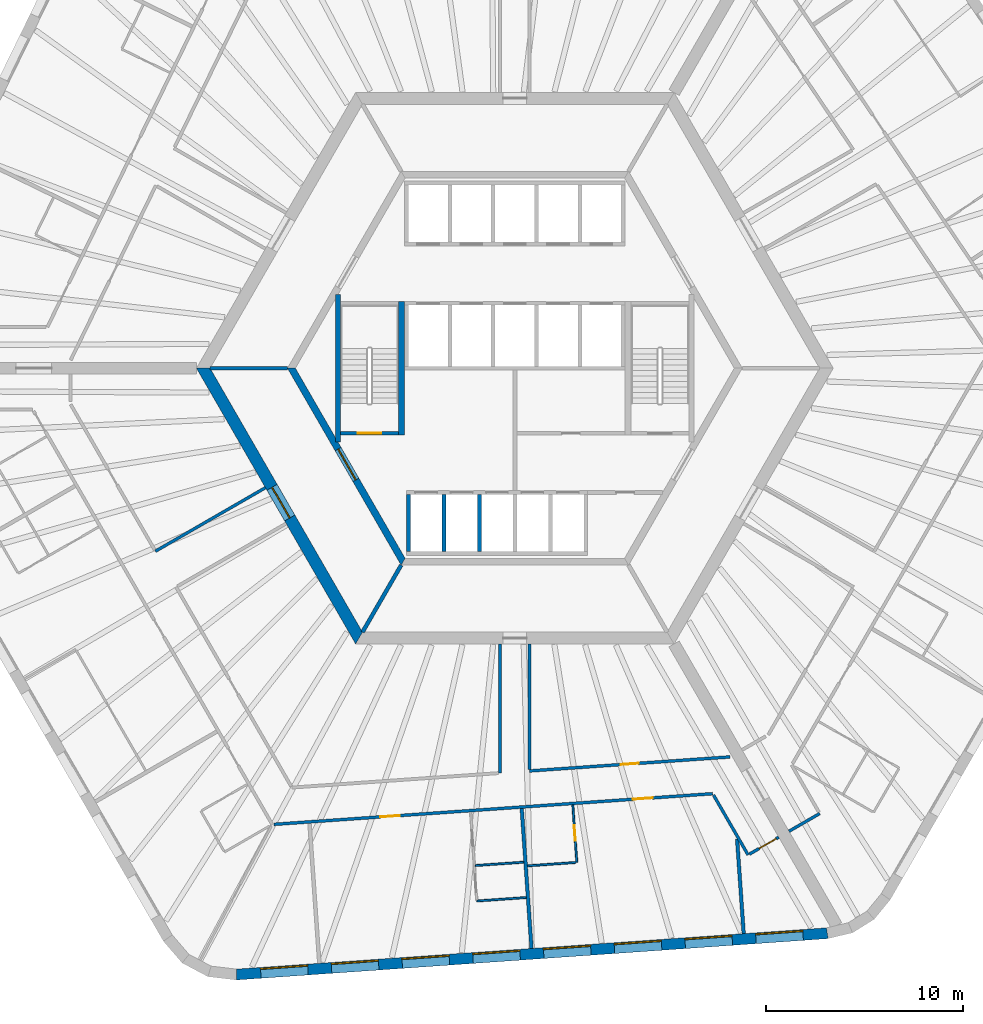
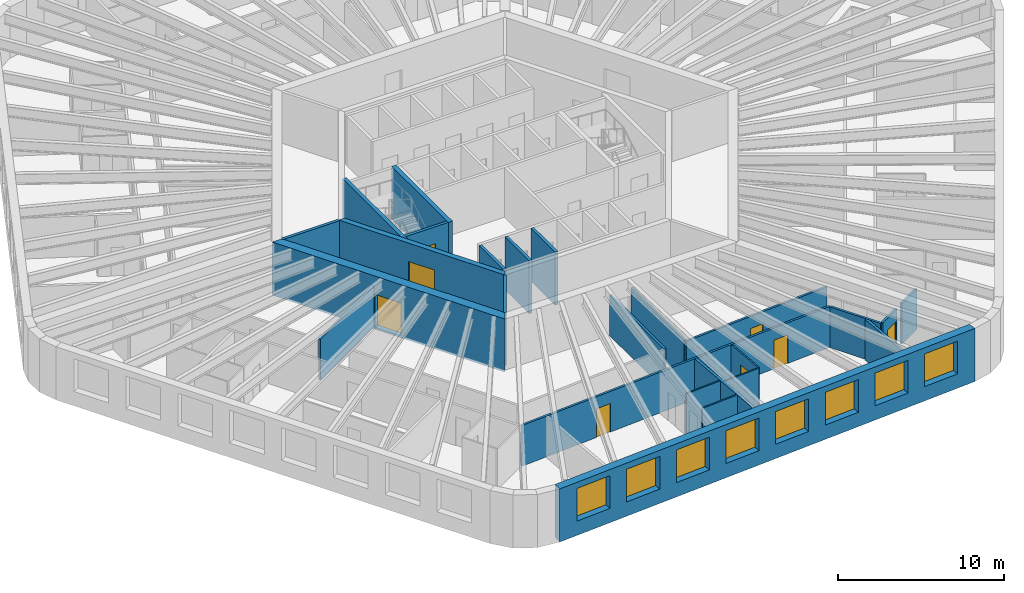
# One storey, part 4 of 11: 25 walls, 8 doors, 8 windows, 16 openings.
"""IFC4 building model written with IfcOpenShell, lengths in metres."""

import ifcopenshell
import ifcopenshell.guid

model = None  # the IFC model being written
_history = None  # IfcOwnerHistory: only IFC2X3 demands one
_inside = {}  # id of a spatial element -> (the spatial element, [elements in it])
_under = {}  # id of a project, library or spatial element -> (it, [spatial elements below it])
_declared = {}  # id of a project -> (the project, [libraries it declares])
_typed = {}  # id of a type object -> (the type object, [elements of that type])
_made_of = {}  # id of a material, layer set ... -> (it, [elements and type objects made of it])


def new_model(schema):
    """Start an empty IFC model of exactly this schema.

    Asked for "IFC4X3", IfcOpenShell would pick the latest addendum, in which some entities
    have other attributes; the version numbers below select the first issue.
    IFC2X3 requires an IfcOwnerHistory on every rooted entity: one is made here for all.
    """
    global model, _history
    if schema == "IFC4X3":
        model = ifcopenshell.file(schema_version=(4, 3, 0, 0))
    else:
        model = ifcopenshell.file(schema=schema)
    _inside.clear()
    _under.clear()
    _declared.clear()
    _typed.clear()
    _made_of.clear()
    _history = None
    if model.schema == "IFC2X3":
        org = make("IfcOrganization", Name="unknown")
        user = make(
            "IfcPersonAndOrganization",
            ThePerson=make("IfcPerson", FamilyName="unknown"),
            TheOrganization=org,
        )
        app = make(
            "IfcApplication",
            ApplicationDeveloper=org,
            Version="unknown",
            ApplicationFullName="unknown",
            ApplicationIdentifier="unknown",
        )
        _history = make(
            "IfcOwnerHistory",
            OwningUser=user,
            OwningApplication=app,
            ChangeAction="ADDED",
            CreationDate=0,
        )
    return model


def make(cls, **values):
    """One entity of the class cls with the attributes given. An attribute that is None is left unset."""
    return model.create_entity(
        cls, **{name: value for name, value in values.items() if value is not None}
    )


def rooted(cls, **values):
    """An entity with a GlobalId (a new one), such as an element, a storey or a relation."""
    return make(cls, GlobalId=ifcopenshell.guid.new(), OwnerHistory=_history, **values)


def si_unit(unit_type, name, prefix=None):
    """IfcSIUnit, for example si_unit("LENGTHUNIT", "METRE", prefix="MILLI")."""
    return make("IfcSIUnit", UnitType=unit_type, Prefix=prefix, Name=name)


def assignment(units):
    """IfcUnitAssignment: the units of a project."""
    return None if units is None else make("IfcUnitAssignment", Units=units)


def point(xyz):
    """IfcCartesianPoint."""
    return None if xyz is None else make("IfcCartesianPoint", Coordinates=xyz)


def direction(xyz):
    """IfcDirection."""
    return None if xyz is None else make("IfcDirection", DirectionRatios=xyz)


def frame(location, z_axis=None, x_axis=None):
    """IfcAxis2Placement3D, a coordinate frame: its origin and axes. An axis left out is left unset."""
    return make(
        "IfcAxis2Placement3D",
        Location=point(location),
        Axis=direction(z_axis),
        RefDirection=direction(x_axis),
    )


def frame_2d(location, x_axis=None):
    """IfcAxis2Placement2D, a coordinate frame in the plane: its origin and x axis."""
    return make(
        "IfcAxis2Placement2D", Location=point(location), RefDirection=direction(x_axis)
    )


def origin():
    """The frame at (0, 0, 0) with its axes left unset."""
    return frame((0.0, 0.0, 0.0))


def place(relative_to, where):
    """IfcLocalPlacement: puts the frame where relative to a parent placement (None: the world)."""
    return make(
        "IfcLocalPlacement", PlacementRelTo=relative_to, RelativePlacement=where
    )


def context(
    kind, dimensions, precision=None, world=None, true_north=None, identifier=None
):
    """IfcGeometricRepresentationContext, for example the 3D "Model" context."""
    return make(
        "IfcGeometricRepresentationContext",
        ContextIdentifier=identifier,
        ContextType=kind,
        CoordinateSpaceDimension=dimensions,
        Precision=precision,
        WorldCoordinateSystem=world,
        TrueNorth=true_north,
    )


def subcontext(parent, identifier, kind, view, scale=None):
    """IfcGeometricRepresentationSubContext, for example "Body" below "Model"."""
    return make(
        "IfcGeometricRepresentationSubContext",
        ContextIdentifier=identifier,
        ContextType=kind,
        ParentContext=parent,
        TargetScale=scale,
        TargetView=view,
    )


def project(units=None, contexts=None):
    """IfcProject with its units and contexts."""
    return rooted(
        "IfcProject",
        Name="project",
        RepresentationContexts=contexts,
        UnitsInContext=assignment(units),
    )


def spatial(cls, under=None, at=None, **own):
    """A site, building, storey or space (cls), placed at a placement, below another one or the project."""
    s = rooted(cls, ObjectPlacement=at, **own)
    if under is not None:
        _under.setdefault(under.id(), (under, []))[1].append(s)
    return s


def polyline(points):
    """IfcPolyline through the points."""
    return make("IfcPolyline", Points=[point(p) for p in points])


def profile(cls, at=None, kind="AREA", **sizes):
    """A parametric profile (cls). Its sizes go by their IFC names, for example OverallWidth=200.0."""
    return make(cls, ProfileType=kind, Position=at, **sizes)


def rectangle(**sizes):
    """IfcRectangleProfileDef."""
    return profile("IfcRectangleProfileDef", **sizes)


def outline(outer, holes=None, kind="AREA"):
    """IfcArbitraryClosedProfileDef: a profile drawn as a closed curve; with holes, ...WithVoids."""
    if holes is None:
        return make("IfcArbitraryClosedProfileDef", ProfileType=kind, OuterCurve=outer)
    return make(
        "IfcArbitraryProfileDefWithVoids",
        ProfileType=kind,
        OuterCurve=outer,
        InnerCurves=holes,
    )


def extrude(swept, where, along, depth):
    """IfcExtrudedAreaSolid: the profile swept, set in the frame where, extruded along a direction by depth."""
    return make(
        "IfcExtrudedAreaSolid",
        SweptArea=swept,
        Position=where,
        ExtrudedDirection=direction(along),
        Depth=depth,
    )


def shape(context_of_items, identifier, shape_type, items):
    """IfcShapeRepresentation: the items that make up one representation, for example the "Body"."""
    return make(
        "IfcShapeRepresentation",
        ContextOfItems=context_of_items,
        RepresentationIdentifier=identifier,
        RepresentationType=shape_type,
        Items=items,
    )


def material(Name=None, Category=None):
    """IfcMaterial."""
    return make("IfcMaterial", Name=Name, Category=Category)


def layer(
    of_material, thickness, ventilated=None, Name=None, Category=None, Priority=None
):
    """IfcMaterialLayer: one layer of a wall or slab, of a material (None: an air gap)."""
    return make(
        "IfcMaterialLayer",
        Material=of_material,
        LayerThickness=thickness,
        IsVentilated=ventilated,
        Name=Name,
        Category=Category,
        Priority=Priority,
    )


def layer_set(layers, Name=None):
    """IfcMaterialLayerSet."""
    return make("IfcMaterialLayerSet", MaterialLayers=layers, LayerSetName=Name)


def made_of(thing, what):
    """Note that an element or type object is made of a material, layer set ...; save() writes the relation."""
    if what is not None:
        _made_of.setdefault(what.id(), (what, []))[1].append(thing)
    return thing


def type_object(cls, material=None, **own):
    """A type object (cls), such as IfcWallType, which elements share."""
    return made_of(rooted(cls, **own), material)


def element(
    cls,
    number,
    at=None,
    inside=None,
    cuts=None,
    type_object=None,
    material=None,
    context=None,
    identifier="Body",
    shape_type=None,
    held_by="IfcProductDefinitionShape",
    body=None,
    shapes=None,
    **own,
):
    """One element of the class cls, such as IfcWall. Its Tag is "e" and its number.

    at: its placement. inside: the storey or other place that contains it. cuts: it is an
    opening in that element (IfcRelVoidsElement). A single representation is given by context,
    identifier, shape_type and body (its items); several are given by shapes. held_by: the class
    of the entity that holds the representations. save() writes the other relations.
    """
    e = rooted(cls, Tag="e%d" % number, ObjectPlacement=at, **own)
    if body is not None:
        shapes = [shape(context, identifier, shape_type, body)]
    if shapes is not None:
        e.Representation = make(held_by, Representations=shapes)
    if inside is not None:
        _inside.setdefault(inside.id(), (inside, []))[1].append(e)
    if cuts is not None:
        rooted(
            "IfcRelVoidsElement", RelatingBuildingElement=cuts, RelatedOpeningElement=e
        )
    if type_object is not None:
        _typed.setdefault(type_object.id(), (type_object, []))[1].append(e)
    return made_of(e, material)


def fill(opening, filler):
    """IfcRelFillsElement: the door or window that sits in an opening."""
    return rooted(
        "IfcRelFillsElement",
        RelatingOpeningElement=opening,
        RelatedBuildingElement=filler,
    )


def aggregate(whole, parts):
    """IfcRelAggregates: a whole, such as a stair, and the parts it consists of."""
    return rooted("IfcRelAggregates", RelatingObject=whole, RelatedObjects=parts)


def save(model, path):
    """Write the relations noted so far, then the file.

    IfcRelAggregates (storeys below a building ...), IfcRelContainedInSpatialStructure (elements
    in a storey), IfcRelDefinesByType, IfcRelAssociatesMaterial and IfcRelDeclares: one each for
    every whole, place, type object, material and project.
    """
    for whole, parts in _under.values():
        aggregate(whole, parts)
    for where, things in _inside.values():
        rooted(
            "IfcRelContainedInSpatialStructure",
            RelatedElements=things,
            RelatingStructure=where,
        )
    for kind, things in _typed.values():
        rooted("IfcRelDefinesByType", RelatedObjects=things, RelatingType=kind)
    for what, things in _made_of.values():
        rooted("IfcRelAssociatesMaterial", RelatedObjects=things, RelatingMaterial=what)
    for by, libraries in _declared.values():
        rooted("IfcRelDeclares", RelatingContext=by, RelatedDefinitions=libraries)
    model.write(path)


model = new_model("IFC4")

# Units and contexts
model_context = context("Model", 3, precision=1e-05, world=origin(), true_north=direction((0.0, 1.0)))
body_context = subcontext(model_context, "Body", "Model", "MODEL_VIEW")
ifc_project = project(units=[si_unit("LENGTHUNIT", "METRE"), si_unit("AREAUNIT", "SQUARE_METRE"), si_unit("VOLUMEUNIT", "CUBIC_METRE"), si_unit("PLANEANGLEUNIT", "RADIAN"), si_unit("MASSUNIT", "GRAM", prefix="KILO")], contexts=[model_context])

# Site, building, storey
site_placement = place(None, origin())
site = spatial("IfcSite", under=ifc_project, at=site_placement, CompositionType="ELEMENT")
building_placement = place(site_placement, origin())
building = spatial("IfcBuilding", under=site, at=building_placement, Name="Tarnside Tower", CompositionType="ELEMENT")
storey_placement = place(building_placement, frame((0.0, 0.0, 103.800048828125)))
storey = spatial("IfcBuildingStorey", under=building, at=storey_placement, Name="L23", CompositionType="ELEMENT", Elevation=103.800048828125)

# Wall
ifc_material_1 = material(Name="Gypsum board partition on steel studs", Category="steel")
ifc_layer_1 = layer(ifc_material_1, 0.10009765625)
ifc_layer_set_1 = layer_set([ifc_layer_1], Name="Bathroom wall 100")
wall_type_1 = type_object("IfcWallType", Name="Bathroom wall 100", PredefinedType="PARTITIONING", material=ifc_layer_set_1)
wall_1_placement = place(storey_placement, frame((-2.004638671875, -25.251220703125, 0.0), z_axis=(0.0, 0.0, 1.0), x_axis=(0.997570291305, 0.069667165191, 0.0)))
element("IfcWall", 1, at=wall_1_placement, inside=storey, type_object=wall_type_1, Name="Bathroom wall 07124", PredefinedType="PARTITIONING", context=body_context, shape_type="SweptSolid", body=[
    extrude(rectangle(XDim=2.4599609375, YDim=0.10009765625, at=frame_2d((1.22998046875, 0.0))), origin(), (0.0, 0.0, 1.0), 2.98779296875),
])

# Wall, opening, door
wall_2_placement = place(storey_placement, frame((2.94287109375, -22.173828125, 0.0), z_axis=(0.0, 0.0, 1.0), x_axis=(0.069781781132, -0.997562280272, 0.0)))
wall_2 = element("IfcWall", 2, at=wall_2_placement, inside=storey, type_object=wall_type_1, Name="Bathroom wall 07128", PredefinedType="PARTITIONING", context=body_context, shape_type="SweptSolid", body=[
    extrude(rectangle(XDim=2.9248046875, YDim=0.10009765625, at=frame_2d((1.46240234375, 0.0))), origin(), (0.0, 0.0, 1.0), 2.98779296875),
])
opening_1_placement = place(wall_2_placement, frame((1.02490234375, 0.0, 0.0)))
opening_1 = element("IfcOpeningElement", 3, at=opening_1_placement, cuts=wall_2, Name="Opening D-B1", PredefinedType="OPENING", context=body_context, shape_type="SweptSolid", body=[
    extrude(rectangle(XDim=0.800048828125, YDim=2.10009765625, at=frame_2d((0.39990234375, 1.050048828125))), frame((0.0, 0.06005859375, 0.0), z_axis=(0.0, -1.0, 0.0), x_axis=(1.0, 0.0, 0.0)), (0.0, 0.0, 1.0), 0.1201171875),
])
ifc_material_2 = material(Name="Timber door leaf", Category="wood")
door_type_1 = type_object("IfcDoorType", Name="Bathroom door 800", OperationType="NOTDEFINED", PredefinedType="DOOR", material=ifc_material_2)
door_1_placement = place(opening_1_placement, origin())
door_1 = element("IfcDoor", 4, at=door_1_placement, inside=storey, type_object=door_type_1, Name="Bathroom door 07027", OperationType="SINGLE_SWING_RIGHT", OverallHeight=2.10009765625, OverallWidth=0.800048828125, PredefinedType="DOOR", context=body_context, shape_type="SweptSolid", body=[
    extrude(rectangle(XDim=0.800048828125, YDim=2.10009765625, at=frame_2d((0.39990234375, 1.050048828125))), frame((0.0, 0.02490234375, 0.0), z_axis=(0.0, -1.0, 0.0), x_axis=(1.0, 0.0, 0.0)), (0.0, 0.0, 1.0), 0.050048828125),
])
fill(opening_1, door_1)

# Wall
wall_3_placement = place(storey_placement, frame((3.096923828125, -25.094970703125, 0.0), z_axis=(0.0, 0.0, 1.0), x_axis=(-0.997562906323, -0.069772830877, 0.0)))
element("IfcWall", 5, at=wall_3_placement, inside=storey, type_object=wall_type_1, Name="Bathroom wall 07129", PredefinedType="PARTITIONING", context=body_context, shape_type="SweptSolid", body=[
    extrude(rectangle(XDim=2.4599609375, YDim=0.10009765625, at=frame_2d((1.22998046875, 0.0))), origin(), (0.0, 0.0, 1.0), 2.98779296875),
])

# Wall, opening, door
ifc_material_3 = material(Name="Concrete C50/60", Category="concrete")
ifc_layer_2 = layer(ifc_material_3, 0.35009765625)
ifc_layer_set_2 = layer_set([ifc_layer_2], Name="Core block wall 350 C50/60")
wall_type_2 = type_object("IfcWallType", Name="Core block wall 350 C50/60", PredefinedType="SHEAR", material=ifc_layer_set_2)
wall_4_placement = place(storey_placement, frame((-11.344970703125, 0.0, -0.150146484375), z_axis=(0.0, 0.0, 1.0), x_axis=(0.499995046907, -0.866028263435, 0.0)))
wall_4 = element("IfcWall", 6, at=wall_4_placement, inside=storey, type_object=wall_type_2, Name="L23 core block wall face 3", PredefinedType="SHEAR", context=body_context, shape_type="SweptSolid", body=[
    extrude(outline(polyline([(-0.10107421875, -0.175048828125), (11.44580078125, -0.175048828125), (11.24365234375, 0.175048828125), (0.10107421875, 0.175048828125), (-0.10107421875, -0.175048828125)])), origin(), (0.0, 0.0, 1.0), 3.900146484375),
])
opening_2_placement = place(wall_4_placement, frame((4.74365234375, 0.0, 0.14990234375)))
opening_2 = element("IfcOpeningElement", 7, at=opening_2_placement, cuts=wall_4, Name="Opening CD-FFL", PredefinedType="OPENING", context=body_context, shape_type="SweptSolid", body=[
    extrude(rectangle(XDim=1.800048828125, YDim=2.39990234375, at=frame_2d((0.89990234375, 1.199951171875))), frame((0.0, 0.18505859375, 0.0), z_axis=(0.0, -1.0, 0.0), x_axis=(1.0, 0.0, 0.0)), (0.0, 0.0, 1.0), 0.3701171875),
])
ifc_material_4 = material(Name="Steel fire door", Category="steel")
door_type_2 = type_object("IfcDoorType", Name="Firefighting lobby double door FD60S 1800x2400", OperationType="NOTDEFINED", PredefinedType="DOOR", material=ifc_material_4)
door_2_placement = place(opening_2_placement, origin())
door_2 = element("IfcDoor", 8, at=door_2_placement, inside=storey, type_object=door_type_2, Name="L23 lobby block door P3", OperationType="DOUBLE_DOOR_SINGLE_SWING", OverallHeight=2.39990234375, OverallWidth=1.800048828125, PredefinedType="DOOR", context=body_context, shape_type="SweptSolid", body=[
    extrude(rectangle(XDim=1.800048828125, YDim=2.39990234375, at=frame_2d((0.89990234375, 1.199951171875))), frame((0.0, 0.02490234375, 0.0), z_axis=(0.0, -1.0, 0.0), x_axis=(1.0, 0.0, 0.0)), (0.0, 0.0, 1.0), 0.050048828125),
])
fill(opening_2, door_2)

ifc_material_5 = material(Name="Concrete C80/95", Category="concrete")
ifc_layer_3 = layer(ifc_material_5, 0.60009765625)
ifc_layer_set_3 = layer_set([ifc_layer_3], Name="Core wall Z1 600 C80/95")
wall_type_3 = type_object("IfcWallType", Name="Core wall Z1 600 C80/95", PredefinedType="SHEAR", material=ifc_layer_set_3)
wall_5_placement = place(storey_placement, frame((-15.8193359375, 0.0, -0.150146484375), z_axis=(0.0, 0.0, 1.0), x_axis=(0.499999880136, -0.866025472988, 0.0)))
wall_5 = element("IfcWall", 9, at=wall_5_placement, inside=storey, type_object=wall_type_3, Name="L23 core wall face 3", PredefinedType="SHEAR", context=body_context, shape_type="SweptSolid", body=[
    extrude(outline(polyline([(-0.17333984375, -0.300048828125), (15.99267578125, -0.300048828125), (15.64599609375, 0.300048828125), (0.17333984375, 0.300048828125), (-0.17333984375, -0.300048828125)])), origin(), (0.0, 0.0, 1.0), 3.900146484375),
])
opening_3_placement = place(wall_5_placement, frame((6.980712890625, 0.0, 0.14990234375)))
opening_3 = element("IfcOpeningElement", 10, at=opening_3_placement, cuts=wall_5, Name="Opening CD-FFL", PredefinedType="OPENING", context=body_context, shape_type="SweptSolid", body=[
    extrude(rectangle(XDim=1.800048828125, YDim=2.39990234375, at=frame_2d((0.89990234375, 1.199951171875))), frame((0.0, 0.31005859375, 0.0), z_axis=(0.0, -1.0, 0.0), x_axis=(1.0, 0.0, 0.0)), (0.0, 0.0, 1.0), 0.6201171875),
])
door_3_placement = place(opening_3_placement, origin())
door_3 = element("IfcDoor", 11, at=door_3_placement, inside=storey, type_object=door_type_2, Name="L23 core door P3", OperationType="DOUBLE_DOOR_SINGLE_SWING", OverallHeight=2.39990234375, OverallWidth=1.800048828125, PredefinedType="DOOR", context=body_context, shape_type="SweptSolid", body=[
    extrude(rectangle(XDim=1.800048828125, YDim=2.39990234375, at=frame_2d((0.89990234375, 1.199951171875))), frame((0.0, 0.02490234375, 0.0), z_axis=(0.0, -1.0, 0.0), x_axis=(1.0, 0.0, 0.0)), (0.0, 0.0, 1.0), 0.050048828125),
])
fill(opening_3, door_3)

# Wall, openings, doors
ifc_layer_4 = layer(ifc_material_1, 0.14990234375)
ifc_layer_set_4 = layer_set([ifc_layer_4], Name="Corridor wall 150 EI 60")
wall_type_4 = type_object("IfcWallType", Name="Corridor wall 150 EI 60", PredefinedType="PARTITIONING", material=ifc_layer_set_4)
wall_6_placement = place(storey_placement, frame((-12.234130859375, -23.159912109375, 0.0), z_axis=(0.0, 0.0, 1.0), x_axis=(0.997563845372, 0.069759403714, 0.0)))
wall_6 = element("IfcWall", 12, at=wall_6_placement, inside=storey, type_object=wall_type_4, Name="Corridor wall 07035", PredefinedType="PARTITIONING", context=body_context, shape_type="SweptSolid", body=[
    extrude(rectangle(XDim=22.33544921875, YDim=0.14990234375, at=frame_2d((11.167724609375, 0.0))), origin(), (0.0, 0.0, 1.0), 2.98779296875),
])
opening_4_placement = place(wall_6_placement, frame((5.40869140625, 0.0, 0.0)))
opening_4 = element("IfcOpeningElement", 13, at=opening_4_placement, cuts=wall_6, Name="Opening D-E1", PredefinedType="OPENING", context=body_context, shape_type="SweptSolid", body=[
    extrude(rectangle(XDim=1.0, YDim=2.10009765625, at=frame_2d((0.5, 1.050048828125))), frame((0.0, 0.0849609375, 0.0), z_axis=(0.0, -1.0, 0.0), x_axis=(1.0, 0.0, 0.0)), (0.0, 0.0, 1.0), 0.169921875),
])
opening_5_placement = place(wall_6_placement, frame((18.272216796875, 0.0, 0.0)))
opening_5 = element("IfcOpeningElement", 14, at=opening_5_placement, cuts=wall_6, Name="Opening D-E1", PredefinedType="OPENING", context=body_context, shape_type="SweptSolid", body=[
    extrude(rectangle(XDim=1.0, YDim=2.10009765625, at=frame_2d((0.5, 1.050048828125))), frame((0.0, 0.0849609375, 0.0), z_axis=(0.0, -1.0, 0.0), x_axis=(1.0, 0.0, 0.0)), (0.0, 0.0, 1.0), 0.169921875),
])
door_type_3 = type_object("IfcDoorType", Name="Unit entrance door 1000 FD30S", OperationType="NOTDEFINED", PredefinedType="DOOR", material=ifc_material_2)
door_4_placement = place(opening_4_placement, origin())
door_4 = element("IfcDoor", 15, at=door_4_placement, inside=storey, type_object=door_type_3, Name="Unit door 07023", OperationType="SINGLE_SWING_LEFT", OverallHeight=2.10009765625, OverallWidth=1.0, PredefinedType="DOOR", context=body_context, shape_type="SweptSolid", body=[
    extrude(rectangle(XDim=1.0, YDim=2.10009765625, at=frame_2d((0.5, 1.050048828125))), frame((0.0, 0.02490234375, 0.0), z_axis=(0.0, -1.0, 0.0), x_axis=(1.0, 0.0, 0.0)), (0.0, 0.0, 1.0), 0.050048828125),
])
fill(opening_4, door_4)
door_5_placement = place(opening_5_placement, origin())
door_5 = element("IfcDoor", 16, at=door_5_placement, inside=storey, type_object=door_type_3, Name="Unit door 07026", OperationType="SINGLE_SWING_RIGHT", OverallHeight=2.10009765625, OverallWidth=1.0, PredefinedType="DOOR", context=body_context, shape_type="SweptSolid", body=[
    extrude(rectangle(XDim=1.0, YDim=2.10009765625, at=frame_2d((0.5, 1.050048828125))), frame((0.0, 0.02490234375, 0.0), z_axis=(0.0, -1.0, 0.0), x_axis=(1.0, 0.0, 0.0)), (0.0, 0.0, 1.0), 0.050048828125),
])
fill(opening_5, door_5)

# Wall
wall_7_placement = place(storey_placement, frame((10.088623046875, -21.674072265625, 0.0), z_axis=(0.0, 0.0, 1.0), x_axis=(0.500003763204, -0.866023231087, 0.0)))
element("IfcWall", 17, at=wall_7_placement, inside=storey, type_object=wall_type_4, Name="Corridor wall 07039", PredefinedType="PARTITIONING", context=body_context, shape_type="SweptSolid", body=[
    extrude(rectangle(XDim=3.505859375, YDim=0.14990234375, at=frame_2d((1.7529296875, 0.0))), origin(), (0.0, 0.0, 1.0), 2.98779296875),
])

# Wall, opening, door
wall_8_placement = place(storey_placement, frame((11.906494140625, -24.672607421875, 0.0), z_axis=(0.0, 0.0, 1.0), x_axis=(0.866013532718, 0.500020560727, 0.0)))
wall_8 = element("IfcWall", 18, at=wall_8_placement, inside=storey, type_object=wall_type_4, Name="Corridor wall 07042", PredefinedType="PARTITIONING", context=body_context, shape_type="SweptSolid", body=[
    extrude(rectangle(XDim=1.72509765625, YDim=0.14990234375, at=frame_2d((0.862548828125, 0.0))), origin(), (0.0, 0.0, 1.0), 2.98779296875),
])
opening_6_placement = place(wall_8_placement, frame((0.574951171875, 0.0, 0.0)))
opening_6 = element("IfcOpeningElement", 19, at=opening_6_placement, cuts=wall_8, Name="Opening D-E1", PredefinedType="OPENING", context=body_context, shape_type="SweptSolid", body=[
    extrude(rectangle(XDim=1.0, YDim=2.10009765625, at=frame_2d((0.5, 1.050048828125))), frame((0.0, 0.0849609375, 0.0), z_axis=(0.0, -1.0, 0.0), x_axis=(1.0, 0.0, 0.0)), (0.0, 0.0, 1.0), 0.169921875),
])
door_6_placement = place(opening_6_placement, origin())
door_6 = element("IfcDoor", 20, at=door_6_placement, inside=storey, type_object=door_type_3, Name="Unit door 07028", OperationType="SINGLE_SWING_LEFT", OverallHeight=2.10009765625, OverallWidth=1.0, PredefinedType="DOOR", context=body_context, shape_type="SweptSolid", body=[
    extrude(rectangle(XDim=1.0, YDim=2.10009765625, at=frame_2d((0.5, 1.050048828125))), frame((0.0, 0.02490234375, 0.0), z_axis=(0.0, -1.0, 0.0), x_axis=(1.0, 0.0, 0.0)), (0.0, 0.0, 1.0), 0.050048828125),
])
fill(opening_6, door_6)

# Walls
wall_9_placement = place(storey_placement, frame((-12.663818359375, -6.065673828125, 0.0), z_axis=(0.0, 0.0, 1.0), x_axis=(-0.866021702275, -0.500006411147, 0.0)))
element("IfcWall", 21, at=wall_9_placement, inside=storey, type_object=wall_type_4, Name="Corridor wall 07043", PredefinedType="PARTITIONING", context=body_context, shape_type="SweptSolid", body=[
    extrude(rectangle(XDim=6.4501953125, YDim=0.14990234375, at=frame_2d((3.22509765625, 0.0))), origin(), (0.0, 0.0, 1.0), 2.98779296875),
])
wall_10_placement = place(storey_placement, frame((-0.75, -14.0, 0.0), z_axis=(0.0, 0.0, 1.0), x_axis=(0.0, -1.0, 0.0)))
element("IfcWall", 22, at=wall_10_placement, inside=storey, type_object=wall_type_4, Name="Corridor wall 07046", PredefinedType="PARTITIONING", context=body_context, shape_type="SweptSolid", body=[
    extrude(rectangle(XDim=6.552490234375, YDim=0.14990234375, at=frame_2d((3.2763671875, 0.0))), origin(), (0.0, 0.0, 1.0), 2.98779296875),
])

# Wall, opening, door
wall_11_placement = place(storey_placement, frame((10.921142578125, -19.736328125, 0.0), z_axis=(0.0, 0.0, 1.0), x_axis=(-0.997564418338, -0.069751209779, 0.0)))
wall_11 = element("IfcWall", 23, at=wall_11_placement, inside=storey, type_object=wall_type_4, Name="Corridor wall 07050", PredefinedType="PARTITIONING", context=body_context, shape_type="SweptSolid", body=[
    extrude(rectangle(XDim=10.196044921875, YDim=0.14990234375, at=frame_2d((5.09814453125, 0.0))), origin(), (0.0, 0.0, 1.0), 2.98779296875),
])
opening_7_placement = place(wall_11_placement, frame((4.64794921875, 0.0, 0.0)))
opening_7 = element("IfcOpeningElement", 24, at=opening_7_placement, cuts=wall_11, Name="Opening D-S1", PredefinedType="OPENING", context=body_context, shape_type="SweptSolid", body=[
    extrude(rectangle(XDim=0.89990234375, YDim=2.10009765625, at=frame_2d((0.449951171875, 1.050048828125))), frame((0.0, 0.0849609375, 0.0), z_axis=(0.0, -1.0, 0.0), x_axis=(1.0, 0.0, 0.0)), (0.0, 0.0, 1.0), 0.169921875),
])
door_type_4 = type_object("IfcDoorType", Name="Service room door 900 FD30S", OperationType="NOTDEFINED", PredefinedType="DOOR", material=ifc_material_2)
door_7_placement = place(opening_7_placement, origin())
door_7 = element("IfcDoor", 25, at=door_7_placement, inside=storey, type_object=door_type_4, Name="Service door 07047", OperationType="SINGLE_SWING_LEFT", OverallHeight=2.10009765625, OverallWidth=0.89990234375, PredefinedType="DOOR", context=body_context, shape_type="SweptSolid", body=[
    extrude(rectangle(XDim=0.89990234375, YDim=2.10009765625, at=frame_2d((0.449951171875, 1.050048828125))), frame((0.0, 0.02490234375, 0.0), z_axis=(0.0, -1.0, 0.0), x_axis=(1.0, 0.0, 0.0)), (0.0, 0.0, 1.0), 0.050048828125),
])
fill(opening_7, door_7)

# Walls
wall_12_placement = place(storey_placement, frame((0.75, -20.372314453125, 0.0), z_axis=(0.0, 0.0, 1.0), x_axis=(0.0, 1.0, 0.0)))
element("IfcWall", 26, at=wall_12_placement, inside=storey, type_object=wall_type_4, Name="Corridor wall 07051", PredefinedType="PARTITIONING", context=body_context, shape_type="SweptSolid", body=[
    extrude(rectangle(XDim=6.372314453125, YDim=0.14990234375, at=frame_2d((3.18603515625, 0.0))), origin(), (0.0, 0.0, 1.0), 2.98779296875),
])
wall_13_placement = place(storey_placement, frame((13.919921875, -23.510009765625, 0.0), z_axis=(0.0, 0.0, 1.0), x_axis=(0.866047807691, 0.499961193289, 0.0)))
element("IfcWall", 27, at=wall_13_placement, inside=storey, type_object=wall_type_4, Name="Corridor wall 07052", PredefinedType="PARTITIONING", context=body_context, shape_type="SweptSolid", body=[
    extrude(rectangle(XDim=1.800048828125, YDim=0.14990234375, at=frame_2d((0.89990234375, 0.0))), origin(), (0.0, 0.0, 1.0), 2.98779296875),
])
ifc_layer_5 = layer(ifc_material_1, 0.179931640625)
ifc_layer_set_5 = layer_set([ifc_layer_5], Name="Demising wall 180 EI 60")
wall_type_5 = type_object("IfcWallType", Name="Demising wall 180 EI 60", PredefinedType="PARTITIONING", material=ifc_layer_set_5)
wall_14_placement = place(storey_placement, frame((0.84619140625, -29.462646484375, 0.0), z_axis=(0.0, 0.0, 1.0), x_axis=(-0.069764000094, 0.997563523938, 0.0)))
element("IfcWall", 28, at=wall_14_placement, inside=storey, type_object=wall_type_5, Name="Demising wall 07123", PredefinedType="PARTITIONING", context=body_context, shape_type="SweptSolid", body=[
    extrude(rectangle(XDim=7.125, YDim=0.179931640625, at=frame_2d((3.5625, 0.0))), origin(), (0.0, 0.0, 1.0), 2.98779296875),
])
wall_15_placement = place(storey_placement, frame((11.619873046875, -28.70947265625, 0.0), z_axis=(0.0, 0.0, 1.0), x_axis=(-0.069777301394, 0.99756259363, 0.0)))
element("IfcWall", 29, at=wall_15_placement, inside=storey, type_object=wall_type_5, Name="Demising wall 07130", PredefinedType="PARTITIONING", context=body_context, shape_type="SweptSolid", body=[
    extrude(rectangle(XDim=4.828369140625, YDim=0.179931640625, at=frame_2d((2.4140625, 0.0))), origin(), (0.0, 0.0, 1.0), 2.98779296875),
])
ifc_material_6 = material(Name="Concrete C40/50", Category="concrete")
ifc_layer_6 = layer(ifc_material_6, 0.199951171875)
ifc_layer_set_6 = layer_set([ifc_layer_6], Name="Lift shaft wall 200 C40/50")
wall_type_6 = type_object("IfcWallType", Name="Lift shaft wall 200 C40/50", PredefinedType="SHEAR", material=ifc_layer_set_6)
for number, where, z_axis, x_axis, name in (
    (30, (-5.39990234375, -9.300048828125, -0.25), (0.0, 0.0, 1.0), (0.0, 1.0, 0.0), "L23 lift shaft partition R41"),
    (31, (-3.60009765625, -9.300048828125, -0.25), (0.0, 0.0, 1.0), (0.0, 1.0, 0.0), "L23 lift shaft partition R42"),
    (32, (-1.800048828125, -9.300048828125, -0.25), (0.0, 0.0, 1.0), (0.0, 1.0, 0.0), "L23 lift shaft partition R43"),
):
    element("IfcWall", number, at=place(storey_placement, frame(where, z_axis=z_axis, x_axis=x_axis)), inside=storey, type_object=wall_type_6, Name=name, PredefinedType="SHEAR", context=body_context, shape_type="SweptSolid", body=[
        extrude(rectangle(XDim=2.900146484375, YDim=0.199951171875, at=frame_2d((1.4501953125, 0.0))), origin(), (0.0, 0.0, 1.0), 3.89990234375),
    ])
wall_16_placement = place(storey_placement, frame((-11.547119140625, 0.0, -0.150146484375), z_axis=(0.0, 0.0, 1.0), x_axis=(-1.0, 0.0, 0.0)))
element("IfcWall", 33, at=wall_16_placement, inside=storey, type_object=wall_type_6, Name="L23 core partition AR180", PredefinedType="SHEAR", context=body_context, shape_type="SweptSolid", body=[
    extrude(rectangle(XDim=3.92578125, YDim=0.199951171875, at=frame_2d((1.962890625, 0.0))), origin(), (0.0, 0.0, 1.0), 3.900146484375),
])
wall_17_placement = place(storey_placement, frame((-5.7734375, -10.0, -0.150146484375), z_axis=(0.0, 0.0, 1.0), x_axis=(-0.500038251005, -0.86600331843, 0.0)))
element("IfcWall", 34, at=wall_17_placement, inside=storey, type_object=wall_type_6, Name="L23 core partition AR240", PredefinedType="SHEAR", context=body_context, shape_type="SweptSolid", body=[
    extrude(rectangle(XDim=3.926025390625, YDim=0.199951171875, at=frame_2d((1.962890625, 0.0))), origin(), (0.0, 0.0, 1.0), 3.900146484375),
])

# Wall, opening, door
wall_18_placement = place(storey_placement, frame((-8.85009765625, -3.300048828125, -0.25), z_axis=(0.0, 0.0, 1.0), x_axis=(1.0, 0.0, 0.0)))
wall_18 = element("IfcWall", 35, at=wall_18_placement, inside=storey, type_object=wall_type_6, Name="L23 stair 2 enclosure cap wall s", PredefinedType="SHEAR", context=body_context, shape_type="SweptSolid", body=[
    extrude(rectangle(XDim=2.9501953125, YDim=0.199951171875, at=frame_2d((1.47509765625, 0.0))), origin(), (0.0, 0.0, 1.0), 3.89990234375),
])
opening_8_placement = place(wall_18_placement, frame((0.875, 0.0, 0.25)))
opening_8 = element("IfcOpeningElement", 36, at=opening_8_placement, cuts=wall_18, Name="Opening CD-STR", PredefinedType="OPENING", context=body_context, shape_type="SweptSolid", body=[
    extrude(rectangle(XDim=1.199951171875, YDim=2.39990234375, at=frame_2d((0.60009765625, 1.199951171875))), frame((0.0, 0.10986328125, 0.0), z_axis=(0.0, -1.0, 0.0), x_axis=(1.0, 0.0, 0.0)), (0.0, 0.0, 1.0), 0.219970703125),
])
door_type_5 = type_object("IfcDoorType", Name="Stair door FD60S 1200x2400", OperationType="NOTDEFINED", PredefinedType="DOOR", material=ifc_material_4)
door_8_placement = place(opening_8_placement, origin())
door_8 = element("IfcDoor", 37, at=door_8_placement, inside=storey, type_object=door_type_5, Name="L23 stair 2 door", OperationType="SINGLE_SWING_LEFT", OverallHeight=2.39990234375, OverallWidth=1.199951171875, PredefinedType="DOOR", context=body_context, shape_type="SweptSolid", body=[
    extrude(rectangle(XDim=1.199951171875, YDim=2.39990234375, at=frame_2d((0.60009765625, 1.199951171875))), frame((0.0, 0.02490234375, 0.0), z_axis=(0.0, -1.0, 0.0), x_axis=(1.0, 0.0, 0.0)), (0.0, 0.0, 1.0), 0.050048828125),
])
fill(opening_8, door_8)

# Walls
ifc_layer_7 = layer(ifc_material_1, 0.10009765625)
ifc_layer_set_7 = layer_set([ifc_layer_7], Name="Partition 100")
wall_type_7 = type_object("IfcWallType", Name="Partition 100", PredefinedType="PARTITIONING", material=ifc_layer_set_7)
wall_19_placement = place(storey_placement, frame((0.574951171875, -26.875244140625, 0.0), z_axis=(0.0, 0.0, 1.0), x_axis=(-0.997558425079, -0.069836871022, 0.0)))
element("IfcWall", 38, at=wall_19_placement, inside=storey, type_object=wall_type_7, Name="Partition wall 07121", PredefinedType="PARTITIONING", context=body_context, shape_type="SweptSolid", body=[
    extrude(rectangle(XDim=2.510009765625, YDim=0.10009765625, at=frame_2d((1.2548828125, 0.0))), origin(), (0.0, 0.0, 1.0), 2.98779296875),
])
ifc_layer_8 = layer(ifc_material_6, 0.25)
ifc_layer_set_8 = layer_set([ifc_layer_8], Name="Stair enclosure wall 250 C40/50")
wall_type_8 = type_object("IfcWallType", Name="Stair enclosure wall 250 C40/50", PredefinedType="SHEAR", material=ifc_layer_set_8)
wall_20_placement = place(storey_placement, frame((-8.97509765625, -3.7548828125, -0.25), z_axis=(0.0, 0.0, 1.0), x_axis=(0.0, 1.0, 0.0)))
element("IfcWall", 39, at=wall_20_placement, inside=storey, type_object=wall_type_8, Name="L23 stair 2 enclosure wall outer", PredefinedType="SHEAR", context=body_context, shape_type="SweptSolid", body=[
    extrude(rectangle(XDim=7.509765625, YDim=0.25, at=frame_2d((3.7548828125, 0.0))), origin(), (0.0, 0.0, 1.0), 3.89990234375),
])
ifc_layer_9 = layer(ifc_material_6, 0.300048828125)
ifc_layer_set_9 = layer_set([ifc_layer_9], Name="Stair enclosure wall 300 C40/50")
wall_type_9 = type_object("IfcWallType", Name="Stair enclosure wall 300 C40/50", PredefinedType="SHEAR", material=ifc_layer_set_9)
wall_21_placement = place(storey_placement, frame((-5.75, -3.39990234375, -0.25), z_axis=(0.0, 0.0, 1.0), x_axis=(0.0, 1.0, 0.0)))
element("IfcWall", 40, at=wall_21_placement, inside=storey, type_object=wall_type_9, Name="L23 stair 2 enclosure wall inner", PredefinedType="SHEAR", context=body_context, shape_type="SweptSolid", body=[
    extrude(rectangle(XDim=6.7998046875, YDim=0.300048828125, at=frame_2d((3.39990234375, 0.0))), origin(), (0.0, 0.0, 1.0), 3.89990234375),
])

# Wall, openings, windows
ifc_material_7 = material(Name="Facing brick", Category="masonry")
ifc_layer_10 = layer(ifc_material_7, 0.10205078125)
ifc_material_8 = material(Name="Concrete C60/75 precast", Category="concrete")
ifc_layer_11 = layer(ifc_material_8, 0.347900390625)
ifc_material_9 = material(Name="Mineral wool insulation")
ifc_layer_12 = layer(ifc_material_9, 0.10009765625)
ifc_layer_set_10 = layer_set([ifc_layer_10, ifc_layer_11, ifc_layer_12], Name="Tube wall 550 brick faced")
wall_type_10 = type_object("IfcWallType", Name="Tube wall 550 brick faced", PredefinedType="SOLIDWALL", material=ifc_layer_set_10)
wall_22_placement = place(storey_placement, frame((-14.133544921875, -30.785888671875, -0.150146484375), z_axis=(0.0, 0.0, 1.0), x_axis=(0.997564037441, 0.069756657061, 0.0)))
wall_22 = element("IfcWall", 41, at=wall_22_placement, inside=storey, type_object=wall_type_10, Name="Tube wall L23 F4 flush 12", PredefinedType="SOLIDWALL", context=body_context, shape_type="SweptSolid", body=[
    extrude(outline(polyline([(-0.025634765625, -0.27490234375), (30.093505859375, -0.27490234375), (30.048583984375, 0.27490234375), (0.025634765625, 0.27490234375), (-0.025634765625, -0.27490234375)])), origin(), (0.0, 0.0, 1.0), 3.900146484375),
])
opening_9_placement = place(wall_22_placement, frame((1.235595703125, 0.0, 1.050048828125)))
opening_9 = element("IfcOpeningElement", 42, at=opening_9_placement, cuts=wall_22, Name="Opening WH", PredefinedType="OPENING", context=body_context, shape_type="SweptSolid", body=[
    extrude(rectangle(XDim=2.39990234375, YDim=2.39990234375, at=frame_2d((1.199951171875, 1.199951171875))), frame((0.0, 0.28515625, 0.0), z_axis=(0.0, -1.0, 0.0), x_axis=(1.0, 0.0, 0.0)), (0.0, 0.0, 1.0), 0.570068359375),
])
opening_10_placement = place(wall_22_placement, frame((4.83544921875, 0.0, 1.050048828125)))
opening_10 = element("IfcOpeningElement", 43, at=opening_10_placement, cuts=wall_22, Name="Opening WH", PredefinedType="OPENING", context=body_context, shape_type="SweptSolid", body=[
    extrude(rectangle(XDim=2.39990234375, YDim=2.39990234375, at=frame_2d((1.199951171875, 1.199951171875))), frame((0.0, 0.28515625, 0.0), z_axis=(0.0, -1.0, 0.0), x_axis=(1.0, 0.0, 0.0)), (0.0, 0.0, 1.0), 0.570068359375),
])
opening_11_placement = place(wall_22_placement, frame((8.435546875, 0.0, 1.050048828125)))
opening_11 = element("IfcOpeningElement", 44, at=opening_11_placement, cuts=wall_22, Name="Opening WH", PredefinedType="OPENING", context=body_context, shape_type="SweptSolid", body=[
    extrude(rectangle(XDim=2.39990234375, YDim=2.39990234375, at=frame_2d((1.199951171875, 1.199951171875))), frame((0.0, 0.28515625, 0.0), z_axis=(0.0, -1.0, 0.0), x_axis=(1.0, 0.0, 0.0)), (0.0, 0.0, 1.0), 0.570068359375),
])
opening_12_placement = place(wall_22_placement, frame((12.035400390625, 0.0, 1.050048828125)))
opening_12 = element("IfcOpeningElement", 45, at=opening_12_placement, cuts=wall_22, Name="Opening WH", PredefinedType="OPENING", context=body_context, shape_type="SweptSolid", body=[
    extrude(rectangle(XDim=2.39990234375, YDim=2.39990234375, at=frame_2d((1.199951171875, 1.199951171875))), frame((0.0, 0.28515625, 0.0), z_axis=(0.0, -1.0, 0.0), x_axis=(1.0, 0.0, 0.0)), (0.0, 0.0, 1.0), 0.570068359375),
])
opening_13_placement = place(wall_22_placement, frame((15.635498046875, 0.0, 1.050048828125)))
opening_13 = element("IfcOpeningElement", 46, at=opening_13_placement, cuts=wall_22, Name="Opening WH", PredefinedType="OPENING", context=body_context, shape_type="SweptSolid", body=[
    extrude(rectangle(XDim=2.39990234375, YDim=2.39990234375, at=frame_2d((1.199951171875, 1.199951171875))), frame((0.0, 0.28515625, 0.0), z_axis=(0.0, -1.0, 0.0), x_axis=(1.0, 0.0, 0.0)), (0.0, 0.0, 1.0), 0.570068359375),
])
opening_14_placement = place(wall_22_placement, frame((19.235595703125, 0.0, 1.050048828125)))
opening_14 = element("IfcOpeningElement", 47, at=opening_14_placement, cuts=wall_22, Name="Opening WH", PredefinedType="OPENING", context=body_context, shape_type="SweptSolid", body=[
    extrude(rectangle(XDim=2.39990234375, YDim=2.39990234375, at=frame_2d((1.199951171875, 1.199951171875))), frame((0.0, 0.28515625, 0.0), z_axis=(0.0, -1.0, 0.0), x_axis=(1.0, 0.0, 0.0)), (0.0, 0.0, 1.0), 0.570068359375),
])
opening_15_placement = place(wall_22_placement, frame((22.83544921875, 0.0, 1.050048828125)))
opening_15 = element("IfcOpeningElement", 48, at=opening_15_placement, cuts=wall_22, Name="Opening WH", PredefinedType="OPENING", context=body_context, shape_type="SweptSolid", body=[
    extrude(rectangle(XDim=2.39990234375, YDim=2.39990234375, at=frame_2d((1.199951171875, 1.199951171875))), frame((0.0, 0.28515625, 0.0), z_axis=(0.0, -1.0, 0.0), x_axis=(1.0, 0.0, 0.0)), (0.0, 0.0, 1.0), 0.570068359375),
])
opening_16_placement = place(wall_22_placement, frame((26.435546875, 0.0, 1.050048828125)))
opening_16 = element("IfcOpeningElement", 49, at=opening_16_placement, cuts=wall_22, Name="Opening WH", PredefinedType="OPENING", context=body_context, shape_type="SweptSolid", body=[
    extrude(rectangle(XDim=2.39990234375, YDim=2.39990234375, at=frame_2d((1.199951171875, 1.199951171875))), frame((0.0, 0.28515625, 0.0), z_axis=(0.0, -1.0, 0.0), x_axis=(1.0, 0.0, 0.0)), (0.0, 0.0, 1.0), 0.570068359375),
])
ifc_material_10 = material(Name="Aluminium-framed double glazing", Category="aluminium")
window_type = type_object("IfcWindowType", Name="Hotel window 2400 x 2400", PartitioningType="DOUBLE_PANEL_VERTICAL", PredefinedType="WINDOW", material=ifc_material_10)
window_1_placement = place(opening_9_placement, frame((0.0, 0.205078125, 0.0)))
window_1 = element("IfcWindow", 50, at=window_1_placement, inside=storey, type_object=window_type, Name="E.WN.L23.F4.00", OverallHeight=2.39990234375, OverallWidth=2.39990234375, PartitioningType="DOUBLE_PANEL_VERTICAL", PredefinedType="WINDOW", context=body_context, shape_type="SweptSolid", body=[
    extrude(rectangle(XDim=2.39990234375, YDim=2.39990234375, at=frame_2d((1.199951171875, 1.199951171875))), frame((0.0, 0.030029296875, 0.0), z_axis=(0.0, -1.0, 0.0), x_axis=(1.0, 0.0, 0.0)), (0.0, 0.0, 1.0), 0.06005859375),
])
fill(opening_9, window_1)
window_2_placement = place(opening_10_placement, frame((0.0, 0.205078125, 0.0)))
window_2 = element("IfcWindow", 51, at=window_2_placement, inside=storey, type_object=window_type, Name="E.WN.L23.F4.01", OverallHeight=2.39990234375, OverallWidth=2.39990234375, PartitioningType="DOUBLE_PANEL_VERTICAL", PredefinedType="WINDOW", context=body_context, shape_type="SweptSolid", body=[
    extrude(rectangle(XDim=2.39990234375, YDim=2.39990234375, at=frame_2d((1.199951171875, 1.199951171875))), frame((0.0, 0.030029296875, 0.0), z_axis=(0.0, -1.0, 0.0), x_axis=(1.0, 0.0, 0.0)), (0.0, 0.0, 1.0), 0.06005859375),
])
fill(opening_10, window_2)
window_3_placement = place(opening_11_placement, frame((0.0, 0.205078125, 0.0)))
window_3 = element("IfcWindow", 52, at=window_3_placement, inside=storey, type_object=window_type, Name="E.WN.L23.F4.02", OverallHeight=2.39990234375, OverallWidth=2.39990234375, PartitioningType="DOUBLE_PANEL_VERTICAL", PredefinedType="WINDOW", context=body_context, shape_type="SweptSolid", body=[
    extrude(rectangle(XDim=2.39990234375, YDim=2.39990234375, at=frame_2d((1.199951171875, 1.199951171875))), frame((0.0, 0.030029296875, 0.0), z_axis=(0.0, -1.0, 0.0), x_axis=(1.0, 0.0, 0.0)), (0.0, 0.0, 1.0), 0.06005859375),
])
fill(opening_11, window_3)
window_4_placement = place(opening_12_placement, frame((0.0, 0.205078125, 0.0)))
window_4 = element("IfcWindow", 53, at=window_4_placement, inside=storey, type_object=window_type, Name="E.WN.L23.F4.03", OverallHeight=2.39990234375, OverallWidth=2.39990234375, PartitioningType="DOUBLE_PANEL_VERTICAL", PredefinedType="WINDOW", context=body_context, shape_type="SweptSolid", body=[
    extrude(rectangle(XDim=2.39990234375, YDim=2.39990234375, at=frame_2d((1.199951171875, 1.199951171875))), frame((0.0, 0.030029296875, 0.0), z_axis=(0.0, -1.0, 0.0), x_axis=(1.0, 0.0, 0.0)), (0.0, 0.0, 1.0), 0.06005859375),
])
fill(opening_12, window_4)
window_5_placement = place(opening_13_placement, frame((0.0, 0.205078125, 0.0)))
window_5 = element("IfcWindow", 54, at=window_5_placement, inside=storey, type_object=window_type, Name="E.WN.L23.F4.04", OverallHeight=2.39990234375, OverallWidth=2.39990234375, PartitioningType="DOUBLE_PANEL_VERTICAL", PredefinedType="WINDOW", context=body_context, shape_type="SweptSolid", body=[
    extrude(rectangle(XDim=2.39990234375, YDim=2.39990234375, at=frame_2d((1.199951171875, 1.199951171875))), frame((0.0, 0.030029296875, 0.0), z_axis=(0.0, -1.0, 0.0), x_axis=(1.0, 0.0, 0.0)), (0.0, 0.0, 1.0), 0.06005859375),
])
fill(opening_13, window_5)
window_6_placement = place(opening_14_placement, frame((0.0, 0.205078125, 0.0)))
window_6 = element("IfcWindow", 55, at=window_6_placement, inside=storey, type_object=window_type, Name="E.WN.L23.F4.05", OverallHeight=2.39990234375, OverallWidth=2.39990234375, PartitioningType="DOUBLE_PANEL_VERTICAL", PredefinedType="WINDOW", context=body_context, shape_type="SweptSolid", body=[
    extrude(rectangle(XDim=2.39990234375, YDim=2.39990234375, at=frame_2d((1.199951171875, 1.199951171875))), frame((0.0, 0.030029296875, 0.0), z_axis=(0.0, -1.0, 0.0), x_axis=(1.0, 0.0, 0.0)), (0.0, 0.0, 1.0), 0.06005859375),
])
fill(opening_14, window_6)
window_7_placement = place(opening_15_placement, frame((0.0, 0.205078125, 0.0)))
window_7 = element("IfcWindow", 56, at=window_7_placement, inside=storey, type_object=window_type, Name="E.WN.L23.F4.06", OverallHeight=2.39990234375, OverallWidth=2.39990234375, PartitioningType="DOUBLE_PANEL_VERTICAL", PredefinedType="WINDOW", context=body_context, shape_type="SweptSolid", body=[
    extrude(rectangle(XDim=2.39990234375, YDim=2.39990234375, at=frame_2d((1.199951171875, 1.199951171875))), frame((0.0, 0.030029296875, 0.0), z_axis=(0.0, -1.0, 0.0), x_axis=(1.0, 0.0, 0.0)), (0.0, 0.0, 1.0), 0.06005859375),
])
fill(opening_15, window_7)
window_8_placement = place(opening_16_placement, frame((0.0, 0.205078125, 0.0)))
window_8 = element("IfcWindow", 57, at=window_8_placement, inside=storey, type_object=window_type, Name="E.WN.L23.F4.07", OverallHeight=2.39990234375, OverallWidth=2.39990234375, PartitioningType="DOUBLE_PANEL_VERTICAL", PredefinedType="WINDOW", context=body_context, shape_type="SweptSolid", body=[
    extrude(rectangle(XDim=2.39990234375, YDim=2.39990234375, at=frame_2d((1.199951171875, 1.199951171875))), frame((0.0, 0.030029296875, 0.0), z_axis=(0.0, -1.0, 0.0), x_axis=(1.0, 0.0, 0.0)), (0.0, 0.0, 1.0), 0.06005859375),
])
fill(opening_16, window_8)

save(model, "model.ifc")
